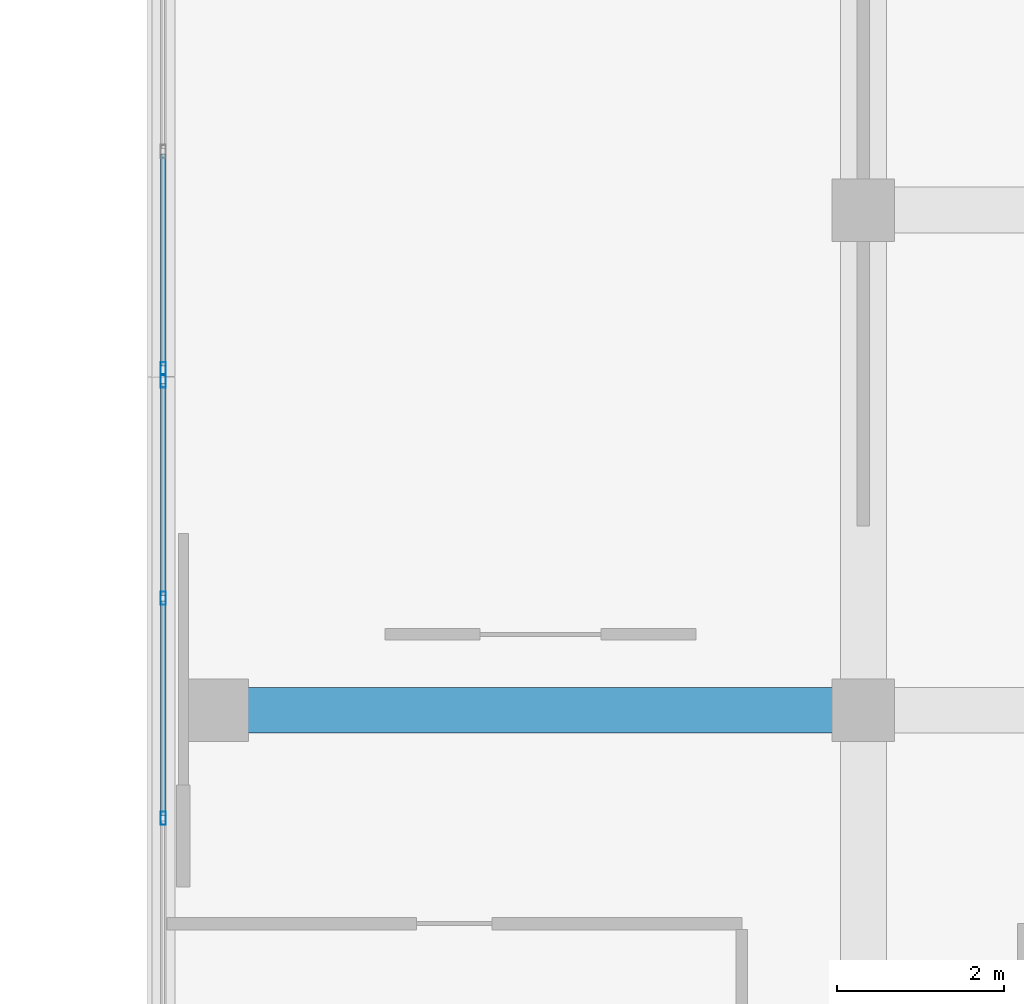
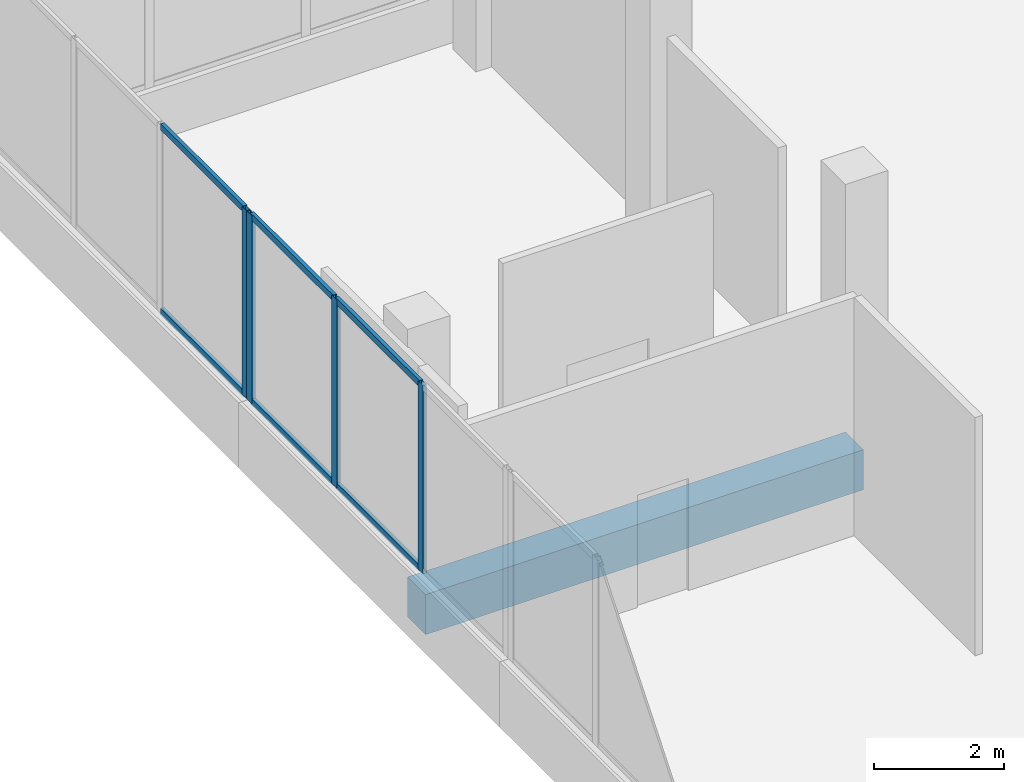
# One storey, part 63 of 155: 10 members, 1 beam, 2 elements without a shape of their own.
"""IFC4 building model written with IfcOpenShell, lengths in metres."""

from ifc_helpers import new_model, si_unit, direction, frame, origin, origin_2d, place, context, subcontext, project, spatial, rectangle, hollow_rectangle, extrude, material, material_profile, profile_set, type_object, element, aggregate, save


model = new_model("IFC4")

# Units and contexts
model_context = context("Model", 3, precision=1e-05, world=origin(), true_north=direction((0.0, 1.0)))
body_context = subcontext(model_context, "Body", "Model", "MODEL_VIEW")
ifc_project = project(units=[si_unit("LENGTHUNIT", "METRE"), si_unit("AREAUNIT", "SQUARE_METRE"), si_unit("VOLUMEUNIT", "CUBIC_METRE"), si_unit("PLANEANGLEUNIT", "RADIAN"), si_unit("MASSUNIT", "GRAM", prefix="KILO")], contexts=[model_context])

# Site, building, storey
site_placement = place(None, origin())
site = spatial("IfcSite", under=ifc_project, at=site_placement, CompositionType="ELEMENT")
building_placement = place(site_placement, origin())
building = spatial("IfcBuilding", under=site, at=building_placement, Name="Selatvlak General Hospital", CompositionType="ELEMENT")
storey_placement = place(building_placement, frame((0.0, 0.0, 10.199951171875)))
storey = spatial("IfcBuildingStorey", under=building, at=storey_placement, Name="L02", CompositionType="ELEMENT", Elevation=10.199951171875)

# Beam
ifc_material_1 = material(Name="Concrete C40/50", Category="concrete")
ifc_material_profile_1 = material_profile(ifc_material_1, rectangle(XDim=0.550048828125, YDim=0.75, at=origin_2d()), Name="RC-BM 550x750")
ifc_profile_set_1 = profile_set([ifc_material_profile_1], Name="Concrete C40/50")
beam_type = type_object("IfcBeamType", Name="BM-G02", PredefinedType="BEAM", material=ifc_profile_set_1)
beam_placement = place(storey_placement, frame((15.050048828125, 108.0, -0.72998046875), z_axis=(1.0, 0.0, 0.0), x_axis=(0.0, 1.0, 0.0)))
element("IfcBeam", 1, at=beam_placement, inside=storey, type_object=beam_type, Name="Beam BMR-L02-0881", PredefinedType="BEAM", context=body_context, shape_type="SweptSolid", body=[
    extrude(rectangle(XDim=0.550048828125, YDim=0.75, at=origin_2d()), origin(), (0.0, 0.0, 1.0), 7.75),
])

# Curtain wall, members
ifc_material_2 = material(Name="Solar-control Low-E double glazing", Category="glass")
curtain_wall_type_1 = type_object("IfcCurtainWallType", Name="CW-CW-02", PredefinedType="USERDEFINED", material=ifc_material_2)
curtain_wall_1_placement = place(storey_placement, origin())
curtain_wall_1 = element("IfcCurtainWall", 2, at=curtain_wall_1_placement, inside=storey, type_object=curtain_wall_type_1, Name="Glazed facade curtain wall CW-L02-0241", ObjectType="UNITISED CURTAIN WALL", PredefinedType="USERDEFINED")
ifc_material_3 = material(Name="Dark anodised aluminium mullion", Category="aluminium")
ifc_material_profile_2 = material_profile(ifc_material_3, hollow_rectangle(XDim=0.06494140625, YDim=0.159912109375, WallThickness=0.00390625, at=origin_2d()), Name="AL-MUL 65x160x4")
ifc_profile_set_2 = profile_set([ifc_material_profile_2], Name="Dark anodised aluminium mullion")
member_type_1 = type_object("IfcMemberType", Name="CWM-01", PredefinedType="MULLION", material=ifc_profile_set_2)
member_1_placement = place(storey_placement, frame((14.39990234375, 106.7041015625, 0.93994140625), z_axis=(0.0, 0.0, 1.0), x_axis=(-1.0, 0.0, 0.0)))
member_1 = element("IfcMember", 3, at=member_1_placement, type_object=member_type_1, Name="CW-02 mullion 2", PredefinedType="MULLION", context=body_context, shape_type="SweptSolid", body=[
    extrude(hollow_rectangle(XDim=0.06494140625, YDim=0.159912109375, WallThickness=0.00390625, at=origin_2d()), origin(), (0.0, 0.0, 1.0), 3.52001953125),
])
member_2_placement = place(storey_placement, frame((14.39990234375, 109.343994140625, 0.93994140625), z_axis=(0.0, 0.0, 1.0), x_axis=(-1.0, 0.0, 0.0)))
member_2 = element("IfcMember", 4, at=member_2_placement, type_object=member_type_1, Name="CW-02 mullion 3", PredefinedType="MULLION", context=body_context, shape_type="SweptSolid", body=[
    extrude(hollow_rectangle(XDim=0.06494140625, YDim=0.159912109375, WallThickness=0.00390625, at=origin_2d()), origin(), (0.0, 0.0, 1.0), 3.52001953125),
])
member_3_placement = place(storey_placement, frame((14.39990234375, 111.951416015625, 0.93994140625), z_axis=(0.0, 0.0, 1.0), x_axis=(-1.0, 0.0, 0.0)))
member_3 = element("IfcMember", 5, at=member_3_placement, type_object=member_type_1, Name="CW-02 mullion 4", PredefinedType="MULLION", context=body_context, shape_type="SweptSolid", body=[
    extrude(hollow_rectangle(XDim=0.06494140625, YDim=0.159912109375, WallThickness=0.00390625, at=origin_2d()), origin(), (0.0, 0.0, 1.0), 3.52001953125),
])

# Curtain wall, member
curtain_wall_type_2 = type_object("IfcCurtainWallType", Name="CW-CW-01", PredefinedType="USERDEFINED", material=ifc_material_2)
curtain_wall_2_placement = place(storey_placement, origin())
curtain_wall_2 = element("IfcCurtainWall", 6, at=curtain_wall_2_placement, inside=storey, type_object=curtain_wall_type_2, Name="Glazed facade curtain wall CW-L02-0242", ObjectType="UNITISED CURTAIN WALL", PredefinedType="USERDEFINED")
member_4_placement = place(storey_placement, frame((14.39990234375, 112.096435546875, 0.93994140625), z_axis=(0.0, 0.0, 1.0), x_axis=(-1.0, 0.0, 0.0)))
member_4 = element("IfcMember", 7, at=member_4_placement, type_object=member_type_1, Name="CW-01 mullion 1", PredefinedType="MULLION", context=body_context, shape_type="SweptSolid", body=[
    extrude(hollow_rectangle(XDim=0.06494140625, YDim=0.159912109375, WallThickness=0.00390625, at=origin_2d()), origin(), (0.0, 0.0, 1.0), 3.52001953125),
])

# Member
ifc_material_profile_3 = material_profile(ifc_material_3, hollow_rectangle(XDim=0.06494140625, YDim=0.1201171875, WallThickness=0.00390625, at=origin_2d()), Name="AL-TRN 65x120x4")
ifc_profile_set_3 = profile_set([ifc_material_profile_3], Name="Dark anodised aluminium mullion")
member_type_2 = type_object("IfcMemberType", Name="CWT-01", PredefinedType="USERDEFINED", material=ifc_profile_set_3)
member_5_placement = place(storey_placement, frame((14.39990234375, 106.736572265625, 0.97265625), z_axis=(0.0, 1.0, 0.0), x_axis=(-1.0, 0.0, 0.0)))
member_5 = element("IfcMember", 8, at=member_5_placement, type_object=member_type_2, Name="CW-02 transom 2.1", ObjectType="TRANSOM", PredefinedType="USERDEFINED", context=body_context, shape_type="SweptSolid", body=[
    extrude(hollow_rectangle(XDim=0.06494140625, YDim=0.1201171875, WallThickness=0.00390625, at=origin_2d()), origin(), (0.0, 0.0, 1.0), 2.574951171875),
])

member_6_placement = place(storey_placement, frame((14.39990234375, 106.736572265625, 4.427490234375), z_axis=(0.0, 1.0, 0.0), x_axis=(-1.0, 0.0, 0.0)))
member_6 = element("IfcMember", 9, at=member_6_placement, type_object=member_type_2, Name="CW-02 transom 2.2", ObjectType="TRANSOM", PredefinedType="USERDEFINED", context=body_context, shape_type="SweptSolid", body=[
    extrude(hollow_rectangle(XDim=0.06494140625, YDim=0.1201171875, WallThickness=0.00390625, at=origin_2d()), origin(), (0.0, 0.0, 1.0), 2.574951171875),
])

member_7_placement = place(storey_placement, frame((14.39990234375, 109.37646484375, 0.97265625), z_axis=(0.0, 1.0, 0.0), x_axis=(-1.0, 0.0, 0.0)))
member_7 = element("IfcMember", 10, at=member_7_placement, type_object=member_type_2, Name="CW-02 transom 3.1", ObjectType="TRANSOM", PredefinedType="USERDEFINED", context=body_context, shape_type="SweptSolid", body=[
    extrude(hollow_rectangle(XDim=0.06494140625, YDim=0.1201171875, WallThickness=0.00390625, at=origin_2d()), origin(), (0.0, 0.0, 1.0), 2.54248046875),
])

member_8_placement = place(storey_placement, frame((14.39990234375, 109.37646484375, 4.427490234375), z_axis=(0.0, 1.0, 0.0), x_axis=(-1.0, 0.0, 0.0)))
member_8 = element("IfcMember", 11, at=member_8_placement, type_object=member_type_2, Name="CW-02 transom 3.2", ObjectType="TRANSOM", PredefinedType="USERDEFINED", context=body_context, shape_type="SweptSolid", body=[
    extrude(hollow_rectangle(XDim=0.06494140625, YDim=0.1201171875, WallThickness=0.00390625, at=origin_2d()), origin(), (0.0, 0.0, 1.0), 2.54248046875),
])

aggregate(curtain_wall_1, [member_1, member_2, member_3, member_5, member_6, member_7, member_8])

member_9_placement = place(storey_placement, frame((14.39990234375, 112.12890625, 0.97265625), z_axis=(0.0, 1.0, 0.0), x_axis=(-1.0, 0.0, 0.0)))
member_9 = element("IfcMember", 12, at=member_9_placement, type_object=member_type_2, Name="CW-01 transom 1.1", ObjectType="TRANSOM", PredefinedType="USERDEFINED", context=body_context, shape_type="SweptSolid", body=[
    extrude(hollow_rectangle(XDim=0.06494140625, YDim=0.1201171875, WallThickness=0.00390625, at=origin_2d()), origin(), (0.0, 0.0, 1.0), 2.54248046875),
])

member_10_placement = place(storey_placement, frame((14.39990234375, 112.12890625, 4.427490234375), z_axis=(0.0, 1.0, 0.0), x_axis=(-1.0, 0.0, 0.0)))
member_10 = element("IfcMember", 13, at=member_10_placement, type_object=member_type_2, Name="CW-01 transom 1.2", ObjectType="TRANSOM", PredefinedType="USERDEFINED", context=body_context, shape_type="SweptSolid", body=[
    extrude(hollow_rectangle(XDim=0.06494140625, YDim=0.1201171875, WallThickness=0.00390625, at=origin_2d()), origin(), (0.0, 0.0, 1.0), 2.54248046875),
])

aggregate(curtain_wall_2, [member_4, member_9, member_10])

save(model, "model.ifc")
